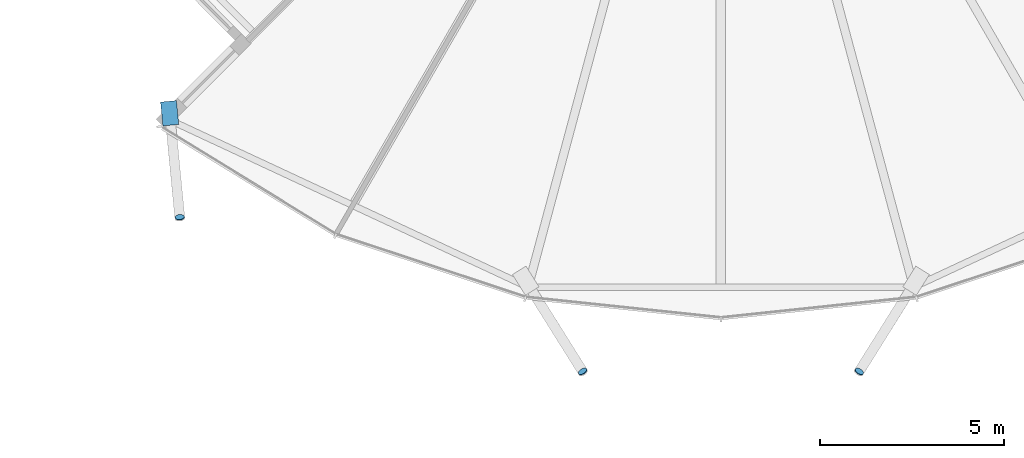
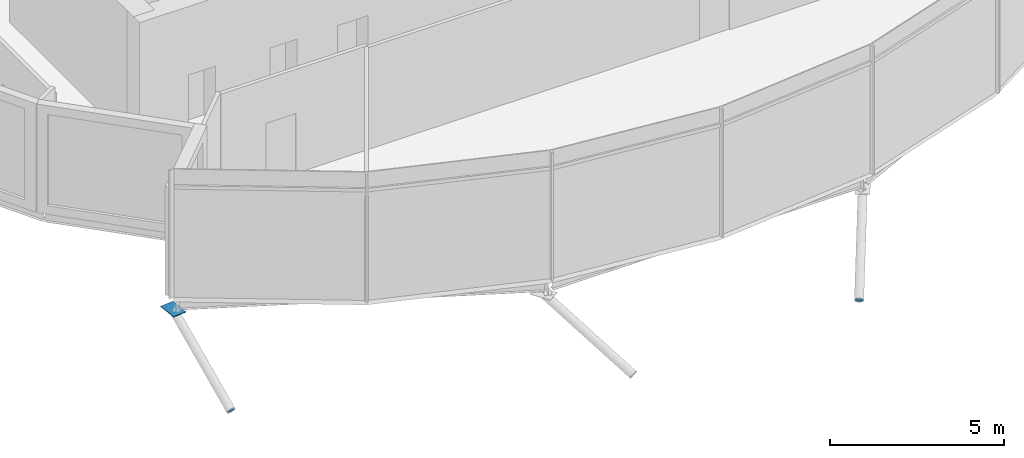
# One storey, part 29 of 36: 4 discrete accessories.
"""IFC4 building model written with IfcOpenShell, lengths in metres."""

from ifc_helpers import new_model, si_unit, direction, frame, origin, origin_2d, place, context, subcontext, project, spatial, polyline, rectangle, circle, outline, extrude, material, material_profile, profile_set, type_object, element, save


model = new_model("IFC4")

# Units and contexts
model_context = context("Model", 3, precision=1e-05, world=origin(), true_north=direction((0.0, 1.0)))
body_context = subcontext(model_context, "Body", "Model", "MODEL_VIEW")
ifc_project = project(units=[si_unit("LENGTHUNIT", "METRE"), si_unit("AREAUNIT", "SQUARE_METRE"), si_unit("VOLUMEUNIT", "CUBIC_METRE"), si_unit("PLANEANGLEUNIT", "RADIAN"), si_unit("MASSUNIT", "GRAM", prefix="KILO")], contexts=[model_context])

# Site, building, storey
site_placement = place(None, origin())
site = spatial("IfcSite", under=ifc_project, at=site_placement, CompositionType="ELEMENT")
building_placement = place(site_placement, origin())
building = spatial("IfcBuilding", under=site, at=building_placement, Name="Rimbun Link Towers", CompositionType="ELEMENT")
storey_placement = place(building_placement, frame((0.0, 0.0, 154.39990234375)))
storey = spatial("IfcBuildingStorey", under=building, at=storey_placement, Name="L37", CompositionType="ELEMENT", Elevation=154.39990234375)

# Discrete accessories
ifc_material_1 = material(Name="Steel S355J2H", Category="steel")
ifc_material_profile_1 = material_profile(ifc_material_1, circle(Radius=0.1240234375, at=origin_2d()), Name="PL D248")
ifc_profile_set_1 = profile_set([ifc_material_profile_1], Name="Steel S355J2H")
discrete_accessory_type_1 = type_object("IfcDiscreteAccessoryType", Name="Link foot sealing plate D248X20", PredefinedType="BRACKET", material=ifc_profile_set_1)
for number, where, z_axis, x_axis, name in (
    (1, (-46.427734375, -17.61328125, -2.634521484375), (0.073383858753, -0.831683732536, -0.550378940649), (0.996129850025, 0.087893810296, 0.0), "Link foot sealing plate T1 L37 15"),
    (2, (-35.50439453125, -21.797607421875, -2.675048828125), (0.44915350845, -0.716217756717, -0.534128496535), (0.847190627169, 0.531289037377, 0.0), "Link foot sealing plate T1 L37 17"),
    (3, (-27.99560546875, -21.797607421875, -2.675048828125), (-0.44915350845, -0.716217756717, -0.534128496535), (0.847190627169, -0.531289037377, 0.0), "Link foot sealing plate T1 L37 19"),
):
    element("IfcDiscreteAccessory", number, at=place(storey_placement, frame(where, z_axis=z_axis, x_axis=x_axis)), inside=storey, type_object=discrete_accessory_type_1, Name=name, PredefinedType="BRACKET", context=body_context, shape_type="SweptSolid", body=[
        extrude(circle(Radius=0.1240234375, at=origin_2d()), origin(), (0.0, 0.0, 1.0), 0.02001953125),
    ])
ifc_material_2 = material(Name="Steel S355J2H", Category="steel")
ifc_material_profile_2 = material_profile(ifc_material_2, rectangle(XDim=0.43310546875, YDim=0.43310546875, at=origin_2d()), Name="PL 433x433")
ifc_profile_set_2 = profile_set([ifc_material_profile_2], Name="Steel S355J2H")
discrete_accessory_type_2 = type_object("IfcDiscreteAccessoryType", Name="Link head end plate 433X20", PredefinedType="BRACKET", material=ifc_profile_set_2)
discrete_accessory_placement = place(storey_placement, frame((0.0, 0.0, -0.73291015625)))
element("IfcDiscreteAccessory", 4, at=discrete_accessory_placement, inside=storey, type_object=discrete_accessory_type_2, Name="Link head end plate T1 L37 15", PredefinedType="BRACKET", context=body_context, shape_type="SweptSolid", body=[
    extrude(outline(polyline([(-46.947265625, -14.496826171875), (-46.884521484375, -15.14306640625), (-46.45361328125, -15.101318359375), (-46.516357421875, -14.455078125), (-46.947265625, -14.496826171875)])), origin(), (0.0, 0.0, 1.0), 0.02001953125),
])

save(model, "model.ifc")
